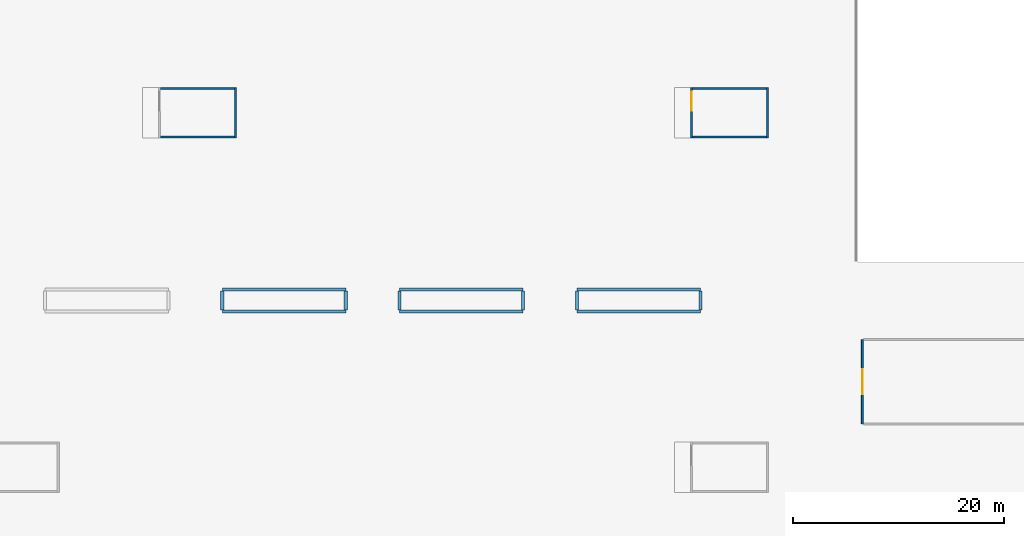
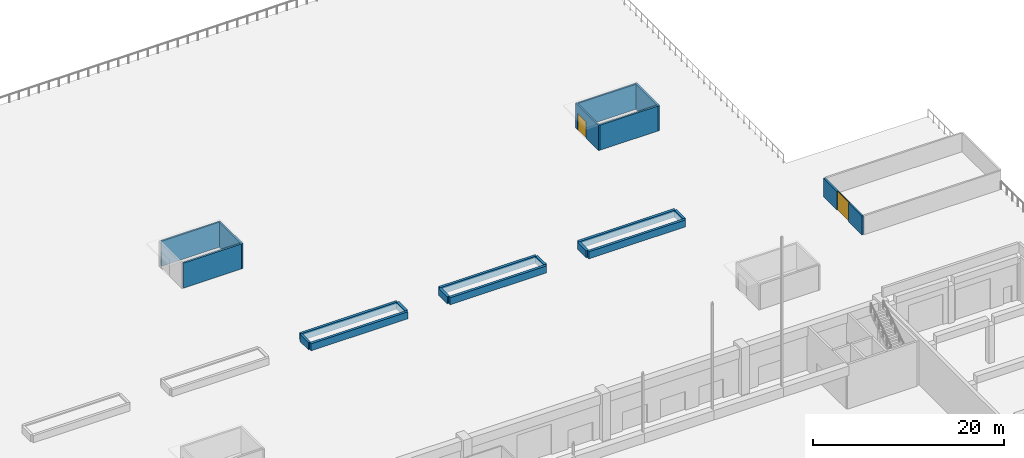
# One storey, part 123 of 210: 20 walls, 2 doors, 2 openings.
"""IFC4 building model written with IfcOpenShell, lengths in metres."""

from ifc_helpers import new_model, si_unit, direction, frame, frame_2d, origin, place, context, subcontext, project, spatial, rectangle, extrude, material, layer, layer_set, type_object, element, fill, save


model = new_model("IFC4")

# Units and contexts
model_context = context("Model", 3, precision=1e-05, world=origin(), true_north=direction((0.0, 1.0)))
body_context = subcontext(model_context, "Body", "Model", "MODEL_VIEW")
ifc_project = project(units=[si_unit("LENGTHUNIT", "METRE"), si_unit("AREAUNIT", "SQUARE_METRE"), si_unit("VOLUMEUNIT", "CUBIC_METRE"), si_unit("PLANEANGLEUNIT", "RADIAN"), si_unit("MASSUNIT", "GRAM", prefix="KILO")], contexts=[model_context])

# Site, building, storey
site_placement = place(None, origin())
site = spatial("IfcSite", under=ifc_project, at=site_placement, CompositionType="ELEMENT")
building_placement = place(site_placement, origin())
building = spatial("IfcBuilding", under=site, at=building_placement, Name="Rain Tree Exposition and Congress Centre", CompositionType="ELEMENT")
storey_placement = place(building_placement, origin())
storey = spatial("IfcBuildingStorey", under=building, at=storey_placement, Name="L00", CompositionType="ELEMENT", Elevation=0.0)

# Walls
ifc_material_1 = material(Name="Concrete C40/50", Category="concrete")
ifc_layer_1 = layer(ifc_material_1, 0.199951171875)
ifc_layer_set_1 = layer_set([ifc_layer_1], Name="Concrete C40/50")
wall_type_1 = type_object("IfcWallType", Name="Exit stair wall 200", PredefinedType="PARTITIONING", material=ifc_layer_set_1)
wall_1_placement = place(storey_placement, frame((192.60009765625, 247.0, 0.0), z_axis=(0.0, 0.0, 1.0), x_axis=(0.0, 1.0, 0.0)))
element("IfcWall", 1, at=wall_1_placement, inside=storey, type_object=wall_type_1, Name="Exit stair N07 wall east", PredefinedType="SOLIDWALL", context=body_context, shape_type="SweptSolid", body=[
    extrude(rectangle(XDim=4.800048828125, YDim=0.199951171875, at=frame_2d((2.39990234375, 0.0))), origin(), (0.0, 0.0, 1.0), 3.199951171875),
])
for number, where, z_axis, x_axis, name in (
    (2, (185.5, 247.10009765625, 0.0), (0.0, 0.0, 1.0), (1.0, 0.0, 0.0), "Exit stair N07 wall south"),
    (3, (185.5, 251.699951171875, 0.0), (0.0, 0.0, 1.0), (1.0, 0.0, 0.0), "Exit stair N07 wall north"),
):
    element("IfcWall", number, at=place(storey_placement, frame(where, z_axis=z_axis, x_axis=x_axis)), inside=storey, type_object=wall_type_1, Name=name, PredefinedType="SOLIDWALL", context=body_context, shape_type="SweptSolid", body=[
        extrude(rectangle(XDim=7.0, YDim=0.199951171875, at=frame_2d((3.5, 0.0))), origin(), (0.0, 0.0, 1.0), 3.199951171875),
    ])

# Wall, opening, door
wall_2_placement = place(storey_placement, frame((235.800048828125, 247.0, 0.0), z_axis=(0.0, 0.0, 1.0), x_axis=(0.0, 1.0, 0.0)))
wall_2 = element("IfcWall", 4, at=wall_2_placement, inside=storey, type_object=wall_type_1, Name="Exit stair N08 wall west", PredefinedType="SOLIDWALL", context=body_context, shape_type="SweptSolid", body=[
    extrude(rectangle(XDim=4.800048828125, YDim=0.199951171875, at=frame_2d((2.39990234375, 0.0))), origin(), (0.0, 0.0, 1.0), 3.199951171875),
])
opening_1_placement = place(wall_2_placement, frame((2.60009765625, 0.0, 0.0)))
opening_1 = element("IfcOpeningElement", 5, at=opening_1_placement, cuts=wall_2, Name="Opening DS154", PredefinedType="OPENING", context=body_context, shape_type="SweptSolid", body=[
    extrude(rectangle(XDim=1.800048828125, YDim=2.10009765625, at=frame_2d((0.89990234375, 1.050048828125))), frame((0.0, 0.10009765625, 0.0), z_axis=(0.0, -1.0, 0.0), x_axis=(1.0, 0.0, 0.0)), (0.0, 0.0, 1.0), 0.199951171875),
])
ifc_material_2 = material(Name="Powder-coated steel", Category="steel")
door_type_1 = type_object("IfcDoorType", Name="Exit stair deck door 1800x2100", OperationType="NOTDEFINED", PredefinedType="DOOR", material=ifc_material_2)
door_1_placement = place(opening_1_placement, origin())
door_1 = element("IfcDoor", 6, at=door_1_placement, inside=storey, type_object=door_type_1, Name="Exit stair N08 door L00", OperationType="SINGLE_SWING_LEFT", OverallHeight=2.10009765625, OverallWidth=1.800048828125, PredefinedType="DOOR", context=body_context, shape_type="SweptSolid", body=[
    extrude(rectangle(XDim=1.800048828125, YDim=2.10009765625, at=frame_2d((0.89990234375, 1.050048828125))), frame((0.0, 0.02490234375, 0.0), z_axis=(0.0, -1.0, 0.0), x_axis=(1.0, 0.0, 0.0)), (0.0, 0.0, 1.0), 0.050048828125),
])
fill(opening_1, door_1)

# Walls
wall_3_placement = place(storey_placement, frame((243.0, 247.0, 0.0), z_axis=(0.0, 0.0, 1.0), x_axis=(0.0, 1.0, 0.0)))
element("IfcWall", 7, at=wall_3_placement, inside=storey, type_object=wall_type_1, Name="Exit stair N08 wall east", PredefinedType="SOLIDWALL", context=body_context, shape_type="SweptSolid", body=[
    extrude(rectangle(XDim=4.800048828125, YDim=0.199951171875, at=frame_2d((2.39990234375, 0.0))), origin(), (0.0, 0.0, 1.0), 3.199951171875),
])
for number, where, z_axis, x_axis, name in (
    (8, (235.89990234375, 247.10009765625, 0.0), (0.0, 0.0, 1.0), (1.0, 0.0, 0.0), "Exit stair N08 wall south"),
    (9, (235.89990234375, 251.699951171875, 0.0), (0.0, 0.0, 1.0), (1.0, 0.0, 0.0), "Exit stair N08 wall north"),
):
    element("IfcWall", number, at=place(storey_placement, frame(where, z_axis=z_axis, x_axis=x_axis)), inside=storey, type_object=wall_type_1, Name=name, PredefinedType="SOLIDWALL", context=body_context, shape_type="SweptSolid", body=[
        extrude(rectangle(XDim=7.0, YDim=0.199951171875, at=frame_2d((3.5, 0.0))), origin(), (0.0, 0.0, 1.0), 3.199951171875),
    ])
ifc_material_3 = material(Name="Concrete C40/50", Category="concrete")
ifc_layer_2 = layer(ifc_material_3, 0.300048828125)
ifc_layer_set_2 = layer_set([ifc_layer_2], Name="Concrete C40/50")
wall_type_2 = type_object("IfcWallType", Name="Precast planter wall 300", PredefinedType="SOLIDWALL", material=ifc_layer_set_2)
for number, where, z_axis, x_axis, name in (
    (10, (191.35009765625, 230.550048828125, 0.0), (0.0, 0.0, 1.0), (1.0, 0.0, 0.0), "Dock apron planter wall"),
    (11, (191.35009765625, 232.64990234375, 0.0), (0.0, 0.0, 1.0), (1.0, 0.0, 0.0), "Dock apron planter wall"),
):
    element("IfcWall", number, at=place(storey_placement, frame(where, z_axis=z_axis, x_axis=x_axis)), inside=storey, type_object=wall_type_2, Name=name, PredefinedType="SOLIDWALL", context=body_context, shape_type="SweptSolid", body=[
        extrude(rectangle(XDim=11.699951171875, YDim=0.300048828125, at=frame_2d((5.85009765625, 0.0))), origin(), (0.0, 0.0, 1.0), 0.89990234375),
    ])
for number, where, z_axis, x_axis, name in (
    (12, (191.35009765625, 230.699951171875, 0.0), (0.0, 0.0, 1.0), (0.0, 1.0, 0.0), "Dock apron planter wall"),
    (13, (203.050048828125, 230.699951171875, 0.0), (0.0, 0.0, 1.0), (0.0, 1.0, 0.0), "Dock apron planter wall"),
):
    element("IfcWall", number, at=place(storey_placement, frame(where, z_axis=z_axis, x_axis=x_axis)), inside=storey, type_object=wall_type_2, Name=name, PredefinedType="SOLIDWALL", context=body_context, shape_type="SweptSolid", body=[
        extrude(rectangle(XDim=1.800048828125, YDim=0.300048828125, at=frame_2d((0.89990234375, 0.0))), origin(), (0.0, 0.0, 1.0), 0.89990234375),
    ])
for number, where, z_axis, x_axis, name in (
    (14, (208.14990234375, 230.550048828125, 0.0), (0.0, 0.0, 1.0), (1.0, 0.0, 0.0), "Dock apron planter wall"),
    (15, (208.14990234375, 232.64990234375, 0.0), (0.0, 0.0, 1.0), (1.0, 0.0, 0.0), "Dock apron planter wall"),
):
    element("IfcWall", number, at=place(storey_placement, frame(where, z_axis=z_axis, x_axis=x_axis)), inside=storey, type_object=wall_type_2, Name=name, PredefinedType="SOLIDWALL", context=body_context, shape_type="SweptSolid", body=[
        extrude(rectangle(XDim=11.7001953125, YDim=0.300048828125, at=frame_2d((5.85009765625, 0.0))), origin(), (0.0, 0.0, 1.0), 0.89990234375),
    ])
for number, where, z_axis, x_axis, name in (
    (16, (208.14990234375, 230.699951171875, 0.0), (0.0, 0.0, 1.0), (0.0, 1.0, 0.0), "Dock apron planter wall"),
    (17, (219.85009765625, 230.699951171875, 0.0), (0.0, 0.0, 1.0), (0.0, 1.0, 0.0), "Dock apron planter wall"),
):
    element("IfcWall", number, at=place(storey_placement, frame(where, z_axis=z_axis, x_axis=x_axis)), inside=storey, type_object=wall_type_2, Name=name, PredefinedType="SOLIDWALL", context=body_context, shape_type="SweptSolid", body=[
        extrude(rectangle(XDim=1.800048828125, YDim=0.300048828125, at=frame_2d((0.89990234375, 0.0))), origin(), (0.0, 0.0, 1.0), 0.89990234375),
    ])
for number, where, z_axis, x_axis, name in (
    (18, (224.949951171875, 230.550048828125, 0.0), (0.0, 0.0, 1.0), (1.0, 0.0, 0.0), "Dock apron planter wall"),
    (19, (224.949951171875, 232.64990234375, 0.0), (0.0, 0.0, 1.0), (1.0, 0.0, 0.0), "Dock apron planter wall"),
):
    element("IfcWall", number, at=place(storey_placement, frame(where, z_axis=z_axis, x_axis=x_axis)), inside=storey, type_object=wall_type_2, Name=name, PredefinedType="SOLIDWALL", context=body_context, shape_type="SweptSolid", body=[
        extrude(rectangle(XDim=11.699951171875, YDim=0.300048828125, at=frame_2d((5.85009765625, 0.0))), origin(), (0.0, 0.0, 1.0), 0.89990234375),
    ])
for number, where, z_axis, x_axis, name in (
    (20, (224.949951171875, 230.699951171875, 0.0), (0.0, 0.0, 1.0), (0.0, 1.0, 0.0), "Dock apron planter wall"),
    (21, (236.64990234375, 230.699951171875, 0.0), (0.0, 0.0, 1.0), (0.0, 1.0, 0.0), "Dock apron planter wall"),
):
    element("IfcWall", number, at=place(storey_placement, frame(where, z_axis=z_axis, x_axis=x_axis)), inside=storey, type_object=wall_type_2, Name=name, PredefinedType="SOLIDWALL", context=body_context, shape_type="SweptSolid", body=[
        extrude(rectangle(XDim=1.800048828125, YDim=0.300048828125, at=frame_2d((0.89990234375, 0.0))), origin(), (0.0, 0.0, 1.0), 0.89990234375),
    ])

# Wall, opening, door
ifc_material_4 = material(Name="Concrete C40/50", Category="concrete")
ifc_layer_3 = layer(ifc_material_4, 0.199951171875)
ifc_layer_set_3 = layer_set([ifc_layer_3], Name="Concrete C40/50")
wall_type_3 = type_object("IfcWallType", Name="Refuse screen wall 200", PredefinedType="SOLIDWALL", material=ifc_layer_set_3)
wall_4_placement = place(storey_placement, frame((252.0, 219.89990234375, 0.0), z_axis=(0.0, 0.0, 1.0), x_axis=(0.0, 1.0, 0.0)))
wall_4 = element("IfcWall", 22, at=wall_4_placement, inside=storey, type_object=wall_type_3, Name="logistics/wall/L00/1", PredefinedType="SOLIDWALL", context=body_context, shape_type="SweptSolid", body=[
    extrude(rectangle(XDim=8.0, YDim=0.199951171875, at=frame_2d((4.0, 0.0))), origin(), (0.0, 0.0, 1.0), 2.39990234375),
])
opening_2_placement = place(wall_4_placement, frame((2.800048828125, 0.0, 0.0)))
opening_2 = element("IfcOpeningElement", 23, at=opening_2_placement, cuts=wall_4, Name="Opening DS801", PredefinedType="OPENING", context=body_context, shape_type="SweptSolid", body=[
    extrude(rectangle(XDim=2.39990234375, YDim=2.39990234375, at=frame_2d((1.199951171875, 1.199951171875))), frame((0.0, 0.10009765625, 0.0), z_axis=(0.0, -1.0, 0.0), x_axis=(1.0, 0.0, 0.0)), (0.0, 0.0, 1.0), 0.199951171875),
])
ifc_material_5 = material(Name="Galvanised steel", Category="steel")
door_type_2 = type_object("IfcDoorType", Name="Refuse compound gate 2400x2400", OperationType="DOUBLE_DOOR_DOUBLE_SWING", PredefinedType="DOOR", material=ifc_material_5)
door_2_placement = place(opening_2_placement, origin())
door_2 = element("IfcDoor", 24, at=door_2_placement, inside=storey, type_object=door_type_2, Name="DS801", OperationType="DOUBLE_DOOR_DOUBLE_SWING", OverallHeight=2.39990234375, OverallWidth=2.39990234375, PredefinedType="DOOR", context=body_context, shape_type="SweptSolid", body=[
    extrude(rectangle(XDim=2.39990234375, YDim=2.39990234375, at=frame_2d((1.199951171875, 1.199951171875))), frame((0.0, 0.02490234375, 0.0), z_axis=(0.0, -1.0, 0.0), x_axis=(1.0, 0.0, 0.0)), (0.0, 0.0, 1.0), 0.050048828125),
])
fill(opening_2, door_2)

save(model, "model.ifc")
